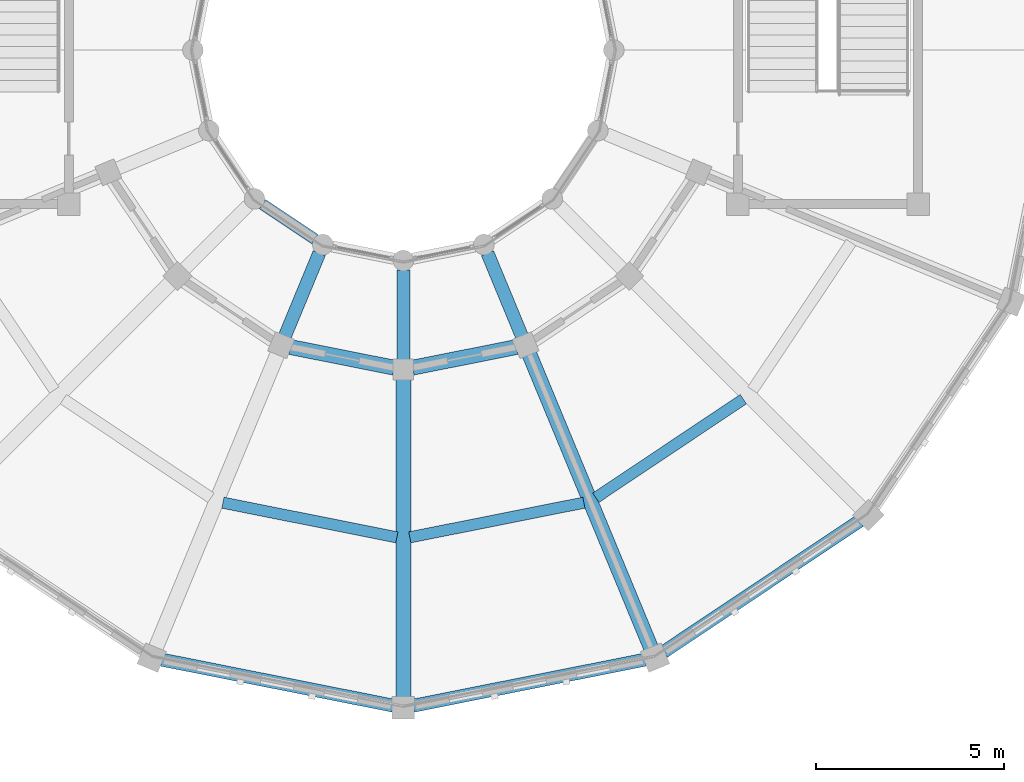
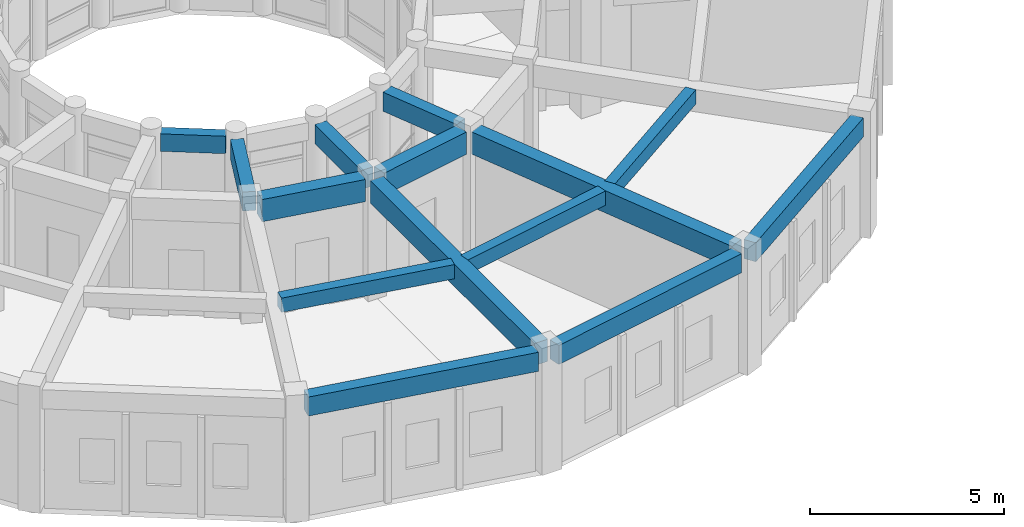
# One storey, part 10 of 159: 14 beams.
"""IFC4 building model written with IfcOpenShell, lengths in metres."""

from ifc_helpers import new_model, si_unit, direction, frame, origin, origin_2d, place, context, subcontext, project, spatial, rectangle, extrude, material, material_profile, profile_set, type_object, element, save


model = new_model("IFC4")

# Units and contexts
model_context = context("Model", 3, precision=1e-05, world=origin(), true_north=direction((0.0, 1.0)))
body_context = subcontext(model_context, "Body", "Model", "MODEL_VIEW")
ifc_project = project(units=[si_unit("LENGTHUNIT", "METRE"), si_unit("AREAUNIT", "SQUARE_METRE"), si_unit("VOLUMEUNIT", "CUBIC_METRE"), si_unit("PLANEANGLEUNIT", "RADIAN"), si_unit("MASSUNIT", "GRAM", prefix="KILO")], contexts=[model_context])

# Site, building, storey
site_placement = place(None, origin())
site = spatial("IfcSite", under=ifc_project, at=site_placement, CompositionType="ELEMENT")
building_placement = place(site_placement, origin())
building = spatial("IfcBuilding", under=site, at=building_placement, Name="Celadon Cloister-Ring School", CompositionType="ELEMENT")
storey_placement = place(building_placement, frame((0.0, 0.0, 4.5)))
storey = spatial("IfcBuildingStorey", under=building, at=storey_placement, Name="L01", CompositionType="ELEMENT", Elevation=4.5)

# Beams
ifc_material_1 = material(Name="Concrete C35/45", Category="concrete")
ifc_material_profile_1 = material_profile(ifc_material_1, rectangle(XDim=0.35009765625, YDim=0.60009765625, at=origin_2d()), Name="RC350X600")
ifc_profile_set_1 = profile_set([ifc_material_profile_1], Name="Concrete C35/45")
beam_type_1 = type_object("IfcBeamType", Name="BT-02", PredefinedType="BEAM", material=ifc_profile_set_1)
beam_1_placement = place(storey_placement, frame((17.04296875, 12.3779296875, 3.47998046875), z_axis=(0.382555476978, 0.923932522988, 0.0), x_axis=(-0.923932522988, 0.382555476978, 0.0)))
element("IfcBeam", 1, at=beam_1_placement, inside=storey, type_object=beam_type_1, Name="Beam 0939", PredefinedType="BEAM", context=body_context, shape_type="SweptSolid", body=[
    extrude(rectangle(XDim=0.35009765625, YDim=0.60009765625, at=origin_2d()), origin(), (0.0, 0.0, 1.0), 2.399658203125),
])
beam_2_placement = place(storey_placement, frame((20.199951171875, 11.75, 3.47998046875), z_axis=(0.0, 1.0, 0.0), x_axis=(-1.0, 0.0, 0.0)))
element("IfcBeam", 2, at=beam_2_placement, inside=storey, type_object=beam_type_1, Name="Beam 0941", PredefinedType="BEAM", context=body_context, shape_type="SweptSolid", body=[
    extrude(rectangle(XDim=0.35009765625, YDim=0.60009765625, at=origin_2d()), origin(), (0.0, 0.0, 1.0), 2.39990234375),
])
beam_3_placement = place(storey_placement, frame((23.35693359375, 12.3779296875, 3.47998046875), z_axis=(-0.382555476978, 0.923932522988, 0.0), x_axis=(-0.923932522988, -0.382555476978, 0.0)))
element("IfcBeam", 3, at=beam_3_placement, inside=storey, type_object=beam_type_1, Name="Beam 0943", PredefinedType="BEAM", context=body_context, shape_type="SweptSolid", body=[
    extrude(rectangle(XDim=0.35009765625, YDim=0.60009765625, at=origin_2d()), origin(), (0.0, 0.0, 1.0), 2.399658203125),
])
ifc_material_2 = material(Name="Concrete C35/45", Category="concrete")
ifc_material_profile_2 = material_profile(ifc_material_2, rectangle(XDim=0.39990234375, YDim=0.699951171875, at=origin_2d()), Name="RC400X700")
ifc_profile_set_2 = profile_set([ifc_material_profile_2], Name="Concrete C35/45")
beam_type_2 = type_object("IfcBeamType", Name="GT-03", PredefinedType="USERDEFINED", material=ifc_profile_set_2)
for number, where, z_axis, x_axis, name in (
    (4, (20.199951171875, 2.77490234375, 3.429931640625), (0.0, 1.0, 0.0), (-1.0, 0.0, 0.0), "Beam 0940"),
    (5, (26.7919921875, 4.0859375, 3.429931640625), (-0.382642680076, 0.923896411609, 0.0), (-0.923896411609, -0.382642680076, 0.0), "Beam 0942"),
):
    element("IfcBeam", number, at=place(storey_placement, frame(where, z_axis=z_axis, x_axis=x_axis)), inside=storey, type_object=beam_type_2, Name=name, ObjectType="GIRDER", PredefinedType="USERDEFINED", context=body_context, shape_type="SweptSolid", body=[
        extrude(rectangle(XDim=0.39990234375, YDim=0.699951171875, at=origin_2d()), origin(), (0.0, 0.0, 1.0), 8.47509765625),
    ])
beam_4_placement = place(storey_placement, frame((17.19189453125, 12.097900390625, 3.429931640625), z_axis=(0.98083979986, -0.194816033759, 0.0), x_axis=(0.194816033759, 0.98083979986, 0.0)))
element("IfcBeam", 6, at=beam_4_placement, inside=storey, type_object=beam_type_2, Name="Beam 0981", ObjectType="GIRDER", PredefinedType="USERDEFINED", context=body_context, shape_type="SweptSolid", body=[
    extrude(rectangle(XDim=0.39990234375, YDim=0.699951171875, at=origin_2d()), origin(), (0.0, 0.0, 1.0), 2.817138671875),
])
beam_5_placement = place(storey_placement, frame((20.445068359375, 11.549072265625, 3.429931640625), z_axis=(0.980836510336, 0.19483259479, 0.0), x_axis=(-0.19483259479, 0.980836510336, 0.0)))
element("IfcBeam", 7, at=beam_5_placement, inside=storey, type_object=beam_type_2, Name="Beam 0985", ObjectType="GIRDER", PredefinedType="USERDEFINED", context=body_context, shape_type="SweptSolid", body=[
    extrude(rectangle(XDim=0.39990234375, YDim=0.699951171875, at=origin_2d()), origin(), (0.0, 0.0, 1.0), 2.81689453125),
])
ifc_material_3 = material(Name="Concrete C35/45", Category="concrete")
ifc_material_profile_3 = material_profile(ifc_material_3, rectangle(XDim=0.300048828125, YDim=0.449951171875, at=origin_2d()), Name="RC300X450")
ifc_profile_set_3 = profile_set([ifc_material_profile_3], Name="Concrete C35/45")
beam_type_3 = type_object("IfcBeamType", Name="JT-01", PredefinedType="JOIST", material=ifc_profile_set_3)
beam_6_placement = place(storey_placement, frame((15.39697265625, 7.9560546875, 3.554931640625), z_axis=(0.980747359302, -0.195280867525, 0.0), x_axis=(0.195280867525, 0.980747359302, 0.0)))
element("IfcBeam", 8, at=beam_6_placement, inside=storey, type_object=beam_type_3, Name="Beam 0983", PredefinedType="JOIST", context=body_context, shape_type="SweptSolid", body=[
    extrude(rectangle(XDim=0.300048828125, YDim=0.449951171875, at=origin_2d()), origin(), (0.0, 0.0, 1.0), 4.721923828125),
])
beam_7_placement = place(storey_placement, frame((20.3720703125, 7.033935546875, 3.554931640625), z_axis=(0.980745387492, 0.195290770169, 0.0), x_axis=(-0.195290770169, 0.980745387492, 0.0)))
element("IfcBeam", 9, at=beam_7_placement, inside=storey, type_object=beam_type_3, Name="Beam 0987", PredefinedType="JOIST", context=body_context, shape_type="SweptSolid", body=[
    extrude(rectangle(XDim=0.300048828125, YDim=0.449951171875, at=origin_2d()), origin(), (0.0, 0.0, 1.0), 4.7216796875),
])
beam_8_placement = place(storey_placement, frame((25.321044921875, 8.0869140625, 3.554931640625), z_axis=(0.831333623542, 0.55577370068, 0.0), x_axis=(-0.55577370068, 0.831333623542, 0.0)))
element("IfcBeam", 10, at=beam_8_placement, inside=storey, type_object=beam_type_3, Name="Beam 0991", PredefinedType="JOIST", context=body_context, shape_type="SweptSolid", body=[
    extrude(rectangle(XDim=0.300048828125, YDim=0.449951171875, at=origin_2d()), origin(), (0.0, 0.0, 1.0), 4.721435546875),
])
ifc_material_4 = material(Name="Concrete C35/45", Category="concrete")
ifc_material_profile_4 = material_profile(ifc_material_4, rectangle(XDim=0.35009765625, YDim=0.60009765625, at=origin_2d()), Name="RC350X600")
ifc_profile_set_4 = profile_set([ifc_material_profile_4], Name="Concrete C35/45")
beam_type_4 = type_object("IfcBeamType", Name="SP-01", PredefinedType="SPANDREL", material=ifc_profile_set_4)
for number, where, z_axis, x_axis, name in (
    (11, (13.77294921875, 3.778076171875, 3.47998046875), (0.980802920261, -0.195001619501, 0.0), (0.195001619501, 0.980802920261, 0.0), "Beam 0980"),
    (12, (20.469970703125, 2.553955078125, 3.47998046875), (0.980802920261, 0.195001619501, 0.0), (-0.195001619501, 0.980802920261, 0.0), "Beam 0984"),
):
    element("IfcBeam", number, at=place(storey_placement, frame(where, z_axis=z_axis, x_axis=x_axis)), inside=storey, type_object=beam_type_4, Name=name, PredefinedType="SPANDREL", context=body_context, shape_type="SweptSolid", body=[
        extrude(rectangle(XDim=0.35009765625, YDim=0.60009765625, at=origin_2d()), origin(), (0.0, 0.0, 1.0), 6.277587890625),
    ])
beam_9_placement = place(storey_placement, frame((27.1259765625, 3.985107421875, 3.47998046875), z_axis=(0.831427473898, 0.555633292422, 0.0), x_axis=(-0.555633292422, 0.831427473898, 0.0)))
element("IfcBeam", 13, at=beam_9_placement, inside=storey, type_object=beam_type_4, Name="Beam 0988", PredefinedType="SPANDREL", context=body_context, shape_type="SweptSolid", body=[
    extrude(rectangle(XDim=0.35009765625, YDim=0.60009765625, at=origin_2d()), origin(), (0.0, 0.0, 1.0), 6.277099609375),
])
ifc_material_5 = material(Name="Concrete C35/45", Category="concrete")
ifc_material_profile_5 = material_profile(ifc_material_5, rectangle(XDim=0.300048828125, YDim=0.550048828125, at=origin_2d()), Name="RC300X550")
ifc_profile_set_5 = profile_set([ifc_material_profile_5], Name="Concrete C35/45")
beam_type_5 = type_object("IfcBeamType", Name="SP-02", PredefinedType="SPANDREL", material=ifc_profile_set_5)
beam_10_placement = place(storey_placement, frame((16.447998046875, 15.90087890625, 3.5048828125), z_axis=(0.831581859135, -0.555402207016, 0.0), x_axis=(0.555402207016, 0.831581859135, 0.0)))
element("IfcBeam", 14, at=beam_10_placement, inside=storey, type_object=beam_type_5, Name="Beam 0978", PredefinedType="SPANDREL", context=body_context, shape_type="SweptSolid", body=[
    extrude(rectangle(XDim=0.300048828125, YDim=0.550048828125, at=origin_2d()), origin(), (0.0, 0.0, 1.0), 1.684814453125),
])

save(model, "model.ifc")
